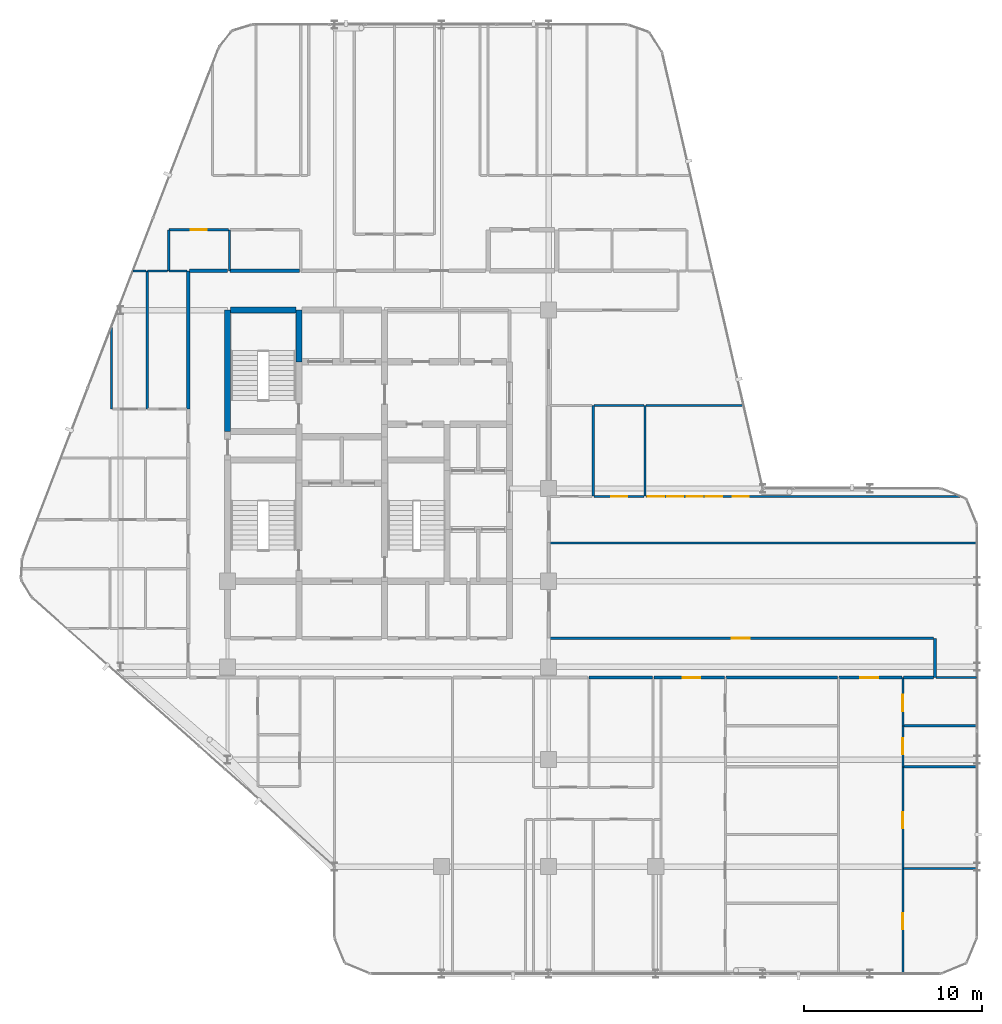
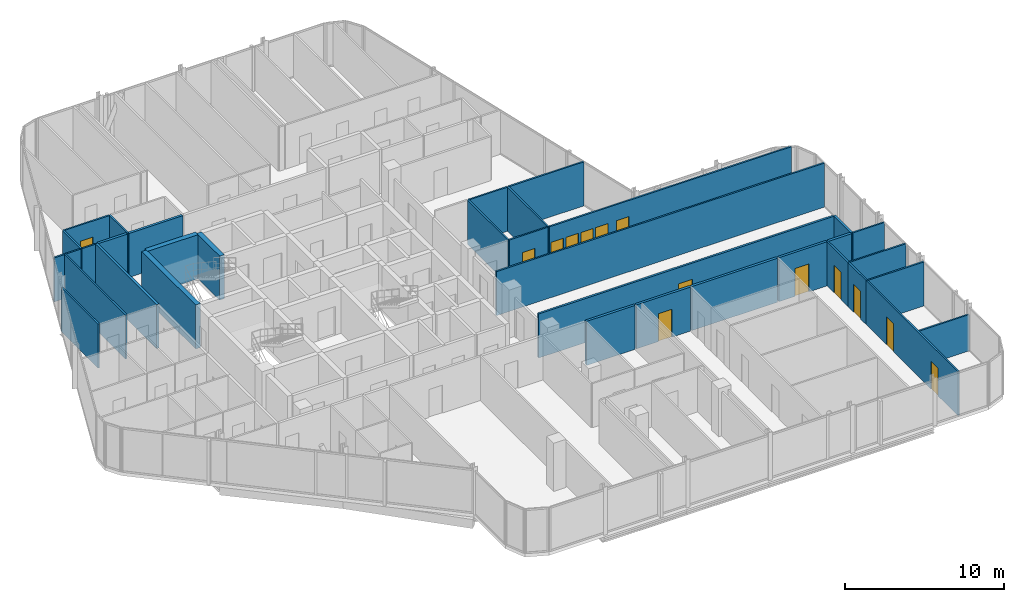
# One storey, part 26 of 29: 35 walls, 14 doors, 14 openings.
"""IFC4 building model written with IfcOpenShell, lengths in metres."""

import ifcopenshell
import ifcopenshell.guid

model = None  # the IFC model being written
_history = None  # IfcOwnerHistory: only IFC2X3 demands one
_inside = {}  # id of a spatial element -> (the spatial element, [elements in it])
_under = {}  # id of a project, library or spatial element -> (it, [spatial elements below it])
_declared = {}  # id of a project -> (the project, [libraries it declares])
_typed = {}  # id of a type object -> (the type object, [elements of that type])
_made_of = {}  # id of a material, layer set ... -> (it, [elements and type objects made of it])


def new_model(schema):
    """Start an empty IFC model of exactly this schema.

    Asked for "IFC4X3", IfcOpenShell would pick the latest addendum, in which some entities
    have other attributes; the version numbers below select the first issue.
    IFC2X3 requires an IfcOwnerHistory on every rooted entity: one is made here for all.
    """
    global model, _history
    if schema == "IFC4X3":
        model = ifcopenshell.file(schema_version=(4, 3, 0, 0))
    else:
        model = ifcopenshell.file(schema=schema)
    _inside.clear()
    _under.clear()
    _declared.clear()
    _typed.clear()
    _made_of.clear()
    _history = None
    if model.schema == "IFC2X3":
        org = make("IfcOrganization", Name="unknown")
        user = make(
            "IfcPersonAndOrganization",
            ThePerson=make("IfcPerson", FamilyName="unknown"),
            TheOrganization=org,
        )
        app = make(
            "IfcApplication",
            ApplicationDeveloper=org,
            Version="unknown",
            ApplicationFullName="unknown",
            ApplicationIdentifier="unknown",
        )
        _history = make(
            "IfcOwnerHistory",
            OwningUser=user,
            OwningApplication=app,
            ChangeAction="ADDED",
            CreationDate=0,
        )
    return model


def make(cls, **values):
    """One entity of the class cls with the attributes given. An attribute that is None is left unset."""
    return model.create_entity(
        cls, **{name: value for name, value in values.items() if value is not None}
    )


def rooted(cls, **values):
    """An entity with a GlobalId (a new one), such as an element, a storey or a relation."""
    return make(cls, GlobalId=ifcopenshell.guid.new(), OwnerHistory=_history, **values)


def si_unit(unit_type, name, prefix=None):
    """IfcSIUnit, for example si_unit("LENGTHUNIT", "METRE", prefix="MILLI")."""
    return make("IfcSIUnit", UnitType=unit_type, Prefix=prefix, Name=name)


def assignment(units):
    """IfcUnitAssignment: the units of a project."""
    return None if units is None else make("IfcUnitAssignment", Units=units)


def point(xyz):
    """IfcCartesianPoint."""
    return None if xyz is None else make("IfcCartesianPoint", Coordinates=xyz)


def direction(xyz):
    """IfcDirection."""
    return None if xyz is None else make("IfcDirection", DirectionRatios=xyz)


def frame(location, z_axis=None, x_axis=None):
    """IfcAxis2Placement3D, a coordinate frame: its origin and axes. An axis left out is left unset."""
    return make(
        "IfcAxis2Placement3D",
        Location=point(location),
        Axis=direction(z_axis),
        RefDirection=direction(x_axis),
    )


def frame_2d(location, x_axis=None):
    """IfcAxis2Placement2D, a coordinate frame in the plane: its origin and x axis."""
    return make(
        "IfcAxis2Placement2D", Location=point(location), RefDirection=direction(x_axis)
    )


def origin():
    """The frame at (0, 0, 0) with its axes left unset."""
    return frame((0.0, 0.0, 0.0))


def place(relative_to, where):
    """IfcLocalPlacement: puts the frame where relative to a parent placement (None: the world)."""
    return make(
        "IfcLocalPlacement", PlacementRelTo=relative_to, RelativePlacement=where
    )


def context(
    kind, dimensions, precision=None, world=None, true_north=None, identifier=None
):
    """IfcGeometricRepresentationContext, for example the 3D "Model" context."""
    return make(
        "IfcGeometricRepresentationContext",
        ContextIdentifier=identifier,
        ContextType=kind,
        CoordinateSpaceDimension=dimensions,
        Precision=precision,
        WorldCoordinateSystem=world,
        TrueNorth=true_north,
    )


def subcontext(parent, identifier, kind, view, scale=None):
    """IfcGeometricRepresentationSubContext, for example "Body" below "Model"."""
    return make(
        "IfcGeometricRepresentationSubContext",
        ContextIdentifier=identifier,
        ContextType=kind,
        ParentContext=parent,
        TargetScale=scale,
        TargetView=view,
    )


def project(units=None, contexts=None):
    """IfcProject with its units and contexts."""
    return rooted(
        "IfcProject",
        Name="project",
        RepresentationContexts=contexts,
        UnitsInContext=assignment(units),
    )


def spatial(cls, under=None, at=None, **own):
    """A site, building, storey or space (cls), placed at a placement, below another one or the project."""
    s = rooted(cls, ObjectPlacement=at, **own)
    if under is not None:
        _under.setdefault(under.id(), (under, []))[1].append(s)
    return s


def profile(cls, at=None, kind="AREA", **sizes):
    """A parametric profile (cls). Its sizes go by their IFC names, for example OverallWidth=200.0."""
    return make(cls, ProfileType=kind, Position=at, **sizes)


def rectangle(**sizes):
    """IfcRectangleProfileDef."""
    return profile("IfcRectangleProfileDef", **sizes)


def extrude(swept, where, along, depth):
    """IfcExtrudedAreaSolid: the profile swept, set in the frame where, extruded along a direction by depth."""
    return make(
        "IfcExtrudedAreaSolid",
        SweptArea=swept,
        Position=where,
        ExtrudedDirection=direction(along),
        Depth=depth,
    )


def shape(context_of_items, identifier, shape_type, items):
    """IfcShapeRepresentation: the items that make up one representation, for example the "Body"."""
    return make(
        "IfcShapeRepresentation",
        ContextOfItems=context_of_items,
        RepresentationIdentifier=identifier,
        RepresentationType=shape_type,
        Items=items,
    )


def material(Name=None, Category=None):
    """IfcMaterial."""
    return make("IfcMaterial", Name=Name, Category=Category)


def layer(
    of_material, thickness, ventilated=None, Name=None, Category=None, Priority=None
):
    """IfcMaterialLayer: one layer of a wall or slab, of a material (None: an air gap)."""
    return make(
        "IfcMaterialLayer",
        Material=of_material,
        LayerThickness=thickness,
        IsVentilated=ventilated,
        Name=Name,
        Category=Category,
        Priority=Priority,
    )


def layer_set(layers, Name=None):
    """IfcMaterialLayerSet."""
    return make("IfcMaterialLayerSet", MaterialLayers=layers, LayerSetName=Name)


def made_of(thing, what):
    """Note that an element or type object is made of a material, layer set ...; save() writes the relation."""
    if what is not None:
        _made_of.setdefault(what.id(), (what, []))[1].append(thing)
    return thing


def type_object(cls, material=None, **own):
    """A type object (cls), such as IfcWallType, which elements share."""
    return made_of(rooted(cls, **own), material)


def element(
    cls,
    number,
    at=None,
    inside=None,
    cuts=None,
    type_object=None,
    material=None,
    context=None,
    identifier="Body",
    shape_type=None,
    held_by="IfcProductDefinitionShape",
    body=None,
    shapes=None,
    **own,
):
    """One element of the class cls, such as IfcWall. Its Tag is "e" and its number.

    at: its placement. inside: the storey or other place that contains it. cuts: it is an
    opening in that element (IfcRelVoidsElement). A single representation is given by context,
    identifier, shape_type and body (its items); several are given by shapes. held_by: the class
    of the entity that holds the representations. save() writes the other relations.
    """
    e = rooted(cls, Tag="e%d" % number, ObjectPlacement=at, **own)
    if body is not None:
        shapes = [shape(context, identifier, shape_type, body)]
    if shapes is not None:
        e.Representation = make(held_by, Representations=shapes)
    if inside is not None:
        _inside.setdefault(inside.id(), (inside, []))[1].append(e)
    if cuts is not None:
        rooted(
            "IfcRelVoidsElement", RelatingBuildingElement=cuts, RelatedOpeningElement=e
        )
    if type_object is not None:
        _typed.setdefault(type_object.id(), (type_object, []))[1].append(e)
    return made_of(e, material)


def fill(opening, filler):
    """IfcRelFillsElement: the door or window that sits in an opening."""
    return rooted(
        "IfcRelFillsElement",
        RelatingOpeningElement=opening,
        RelatedBuildingElement=filler,
    )


def aggregate(whole, parts):
    """IfcRelAggregates: a whole, such as a stair, and the parts it consists of."""
    return rooted("IfcRelAggregates", RelatingObject=whole, RelatedObjects=parts)


def save(model, path):
    """Write the relations noted so far, then the file.

    IfcRelAggregates (storeys below a building ...), IfcRelContainedInSpatialStructure (elements
    in a storey), IfcRelDefinesByType, IfcRelAssociatesMaterial and IfcRelDeclares: one each for
    every whole, place, type object, material and project.
    """
    for whole, parts in _under.values():
        aggregate(whole, parts)
    for where, things in _inside.values():
        rooted(
            "IfcRelContainedInSpatialStructure",
            RelatedElements=things,
            RelatingStructure=where,
        )
    for kind, things in _typed.values():
        rooted("IfcRelDefinesByType", RelatedObjects=things, RelatingType=kind)
    for what, things in _made_of.values():
        rooted("IfcRelAssociatesMaterial", RelatedObjects=things, RelatingMaterial=what)
    for by, libraries in _declared.values():
        rooted("IfcRelDeclares", RelatingContext=by, RelatedDefinitions=libraries)
    model.write(path)


model = new_model("IFC4")

# Units and contexts
model_context = context("Model", 3, precision=1e-05, world=origin(), true_north=direction((0.0, 1.0)))
body_context = subcontext(model_context, "Body", "Model", "MODEL_VIEW")
ifc_project = project(units=[si_unit("LENGTHUNIT", "METRE"), si_unit("AREAUNIT", "SQUARE_METRE"), si_unit("VOLUMEUNIT", "CUBIC_METRE"), si_unit("PLANEANGLEUNIT", "RADIAN"), si_unit("MASSUNIT", "GRAM", prefix="KILO")], contexts=[model_context])

# Site, building, storey
site_placement = place(None, origin())
site = spatial("IfcSite", under=ifc_project, at=site_placement, CompositionType="ELEMENT")
building_placement = place(site_placement, origin())
building = spatial("IfcBuilding", under=site, at=building_placement, Name="Keshet Zoharim Tower", CompositionType="ELEMENT")
storey_placement = place(building_placement, frame((0.0, 0.0, 203.199951171875)))
storey = spatial("IfcBuildingStorey", under=building, at=storey_placement, Name="L50", CompositionType="ELEMENT", Elevation=203.199951171875)

# Wall
ifc_material_1 = material(Name="Gypsum Plasterboard", Category="gypsum")
ifc_layer_1 = layer(ifc_material_1, 0.14990234375)
ifc_layer_set_1 = layer_set([ifc_layer_1], Name="Gypsum Plasterboard")
wall_type_1 = type_object("IfcWallType", Name="WL-CLIN-150", PredefinedType="STANDARD", material=ifc_layer_set_1)
wall_1_placement = place(storey_placement, frame((54.64990234375, 17.31005859375, 0.0), z_axis=(0.0, 0.0, 1.0), x_axis=(0.0, 1.0, 0.0)))
element("IfcWall", 1, at=wall_1_placement, inside=storey, type_object=wall_type_1, Name="L50 Interior Wall 096", PredefinedType="STANDARD", context=body_context, shape_type="SweptSolid", body=[
    extrude(rectangle(XDim=2.18994140625, YDim=0.14990234375, at=frame_2d((1.094970703125, 0.0))), origin(), (0.0, 0.0, 1.0), 3.39013671875),
])

# Wall, opening, door
wall_2_placement = place(storey_placement, frame((33.070068359375, 19.5, 0.0), z_axis=(0.0, 0.0, 1.0), x_axis=(1.0, 0.0, 0.0)))
wall_2 = element("IfcWall", 2, at=wall_2_placement, inside=storey, type_object=wall_type_1, Name="L50 Interior Wall 128", PredefinedType="STANDARD", context=body_context, shape_type="SweptSolid", body=[
    extrude(rectangle(XDim=21.510009765625, YDim=0.14990234375, at=frame_2d((10.7548828125, 0.0))), origin(), (0.0, 0.0, 1.0), 3.39013671875),
])
opening_1_placement = place(wall_2_placement, frame((10.18505859375, 0.0, 0.0)))
opening_1 = element("IfcOpeningElement", 3, at=opening_1_placement, cuts=wall_2, Name="Opening D-F310", PredefinedType="OPENING", context=body_context, shape_type="SweptSolid", body=[
    extrude(rectangle(XDim=1.0, YDim=2.14990234375, at=frame_2d((0.5, 1.074951171875))), frame((0.0, 0.0849609375, 0.0), z_axis=(0.0, -1.0, 0.0), x_axis=(1.0, 0.0, 0.0)), (0.0, 0.0, 1.0), 0.169921875),
])
ifc_material_2 = material(Name="Hardwood Timber", Category="wood")
door_type_1 = type_object("IfcDoorType", Name="DR-FD30-100", OperationType="NOTDEFINED", PredefinedType="DOOR", material=ifc_material_2)
door_1_placement = place(opening_1_placement, origin())
door_1 = element("IfcDoor", 4, at=door_1_placement, inside=storey, type_object=door_type_1, Name="L50 South East Residents Services Suite Door 1", OperationType="SINGLE_SWING_LEFT", OverallHeight=2.14990234375, OverallWidth=1.0, PredefinedType="DOOR", context=body_context, shape_type="SweptSolid", body=[
    extrude(rectangle(XDim=1.0, YDim=2.14990234375, at=frame_2d((0.5, 1.074951171875))), frame((0.0, 0.02490234375, 0.0), z_axis=(0.0, -1.0, 0.0), x_axis=(1.0, 0.0, 0.0)), (0.0, 0.0, 1.0), 0.050048828125),
])
fill(opening_1, door_1)

# Walls
ifc_material_3 = material(Name="Concrete C60/75", Category="concrete")
ifc_layer_2 = layer(ifc_material_3, 0.35009765625)
ifc_layer_set_2 = layer_set([ifc_layer_2], Name="Concrete C60/75")
wall_type_2 = type_object("IfcWallType", Name="WL-CORE-350", PredefinedType="SHEAR", material=ifc_layer_set_2)
wall_3_placement = place(storey_placement, frame((15.0, 31.10009765625, 0.0), z_axis=(0.0, 0.0, 1.0), x_axis=(0.0, 1.0, 0.0)))
element("IfcWall", 5, at=wall_3_placement, inside=storey, type_object=wall_type_2, Name="L50 Core Shear Wall 018", PredefinedType="SHEAR", context=body_context, shape_type="SweptSolid", body=[
    extrude(rectangle(XDim=6.7998046875, YDim=0.35009765625, at=frame_2d((3.39990234375, 0.0))), origin(), (0.0, 0.0, 1.0), 3.39013671875),
])
wall_4_placement = place(storey_placement, frame((19.0, 35.0, 0.0), z_axis=(0.0, 0.0, 1.0), x_axis=(0.0, 1.0, 0.0)))
element("IfcWall", 6, at=wall_4_placement, inside=storey, type_object=wall_type_2, Name="L50 Core Shear Wall 027", PredefinedType="SHEAR", context=body_context, shape_type="SweptSolid", body=[
    extrude(rectangle(XDim=2.89990234375, YDim=0.35009765625, at=frame_2d((1.449951171875, 0.0))), origin(), (0.0, 0.0, 1.0), 3.39013671875),
])
wall_5_placement = place(storey_placement, frame((15.159912109375, 37.89990234375, 0.0), z_axis=(0.0, 0.0, 1.0), x_axis=(1.0, 0.0, 0.0)))
element("IfcWall", 7, at=wall_5_placement, inside=storey, type_object=wall_type_2, Name="L50 Core Shear Wall 167", PredefinedType="SHEAR", context=body_context, shape_type="SweptSolid", body=[
    extrude(rectangle(XDim=3.68017578125, YDim=0.35009765625, at=frame_2d((1.840087890625, 0.0))), origin(), (0.0, 0.0, 1.0), 3.39013671875),
])
ifc_layer_3 = layer(ifc_material_1, 0.179931640625)
ifc_layer_set_3 = layer_set([ifc_layer_3], Name="Gypsum Plasterboard")
wall_type_3 = type_object("IfcWallType", Name="WL-CORR-180", PredefinedType="STANDARD", material=ifc_layer_set_3)
wall_6_placement = place(storey_placement, frame((12.800048828125, 32.360107421875, 0.0), z_axis=(0.0, 0.0, 1.0), x_axis=(0.0, 1.0, 0.0)))
element("IfcWall", 8, at=wall_6_placement, inside=storey, type_object=wall_type_3, Name="L50 Interior Wall 013", PredefinedType="STANDARD", context=body_context, shape_type="SweptSolid", body=[
    extrude(rectangle(XDim=7.739990234375, YDim=0.179931640625, at=frame_2d((3.8701171875, 0.0))), origin(), (0.0, 0.0, 1.0), 3.39013671875),
])
wall_7_placement = place(storey_placement, frame((35.27197265625, 17.300048828125, 0.0), z_axis=(0.0, 0.0, 1.0), x_axis=(1.0, 0.0, 0.0)))
element("IfcWall", 9, at=wall_7_placement, inside=storey, type_object=wall_type_3, Name="L50 Interior Wall 118", PredefinedType="STANDARD", context=body_context, shape_type="SweptSolid", body=[
    extrude(rectangle(XDim=3.532958984375, YDim=0.179931640625, at=frame_2d((1.7666015625, 0.0))), origin(), (0.0, 0.0, 1.0), 3.39013671875),
])

# Wall, opening, door
wall_8_placement = place(storey_placement, frame((38.89501953125, 17.300048828125, 0.0), z_axis=(0.0, 0.0, 1.0), x_axis=(1.0, 0.0, 0.0)))
wall_8 = element("IfcWall", 10, at=wall_8_placement, inside=storey, type_object=wall_type_3, Name="L50 Interior Wall 119", PredefinedType="STANDARD", context=body_context, shape_type="SweptSolid", body=[
    extrude(rectangle(XDim=3.9599609375, YDim=0.179931640625, at=frame_2d((1.97998046875, 0.0))), origin(), (0.0, 0.0, 1.0), 3.39013671875),
])
opening_2_placement = place(wall_8_placement, frame((1.60888671875, 0.0, 0.0)))
opening_2 = element("IfcOpeningElement", 11, at=opening_2_placement, cuts=wall_8, Name="Opening D-F310", PredefinedType="OPENING", context=body_context, shape_type="SweptSolid", body=[
    extrude(rectangle(XDim=1.0, YDim=2.14990234375, at=frame_2d((0.5, 1.074951171875))), frame((0.0, 0.10009765625, 0.0), z_axis=(0.0, -1.0, 0.0), x_axis=(1.0, 0.0, 0.0)), (0.0, 0.0, 1.0), 0.199951171875),
])
door_2_placement = place(opening_2_placement, origin())
door_2 = element("IfcDoor", 12, at=door_2_placement, inside=storey, type_object=door_type_1, Name="Apartment 5003 Entrance Door", OperationType="SINGLE_SWING_RIGHT", OverallHeight=2.14990234375, OverallWidth=1.0, PredefinedType="DOOR", context=body_context, shape_type="SweptSolid", body=[
    extrude(rectangle(XDim=1.0, YDim=2.14990234375, at=frame_2d((0.5, 1.074951171875))), frame((0.0, 0.02490234375, 0.0), z_axis=(0.0, -1.0, 0.0), x_axis=(1.0, 0.0, 0.0)), (0.0, 0.0, 1.0), 0.050048828125),
])
fill(opening_2, door_2)

# Wall
wall_9_placement = place(storey_placement, frame((42.945068359375, 17.300048828125, 0.0), z_axis=(0.0, 0.0, 1.0), x_axis=(1.0, 0.0, 0.0)))
element("IfcWall", 13, at=wall_9_placement, inside=storey, type_object=wall_type_3, Name="L50 Interior Wall 120", PredefinedType="STANDARD", context=body_context, shape_type="SweptSolid", body=[
    extrude(rectangle(XDim=6.25, YDim=0.179931640625, at=frame_2d((3.125, 0.0))), origin(), (0.0, 0.0, 1.0), 3.39013671875),
])

# Wall, opening, door
wall_10_placement = place(storey_placement, frame((49.284912109375, 17.300048828125, 0.0), z_axis=(0.0, 0.0, 1.0), x_axis=(1.0, 0.0, 0.0)))
wall_10 = element("IfcWall", 14, at=wall_10_placement, inside=storey, type_object=wall_type_3, Name="L50 Interior Wall 121", PredefinedType="STANDARD", context=body_context, shape_type="SweptSolid", body=[
    extrude(rectangle(XDim=3.510009765625, YDim=0.179931640625, at=frame_2d((1.7548828125, 0.0))), origin(), (0.0, 0.0, 1.0), 3.39013671875),
])
opening_3_placement = place(wall_10_placement, frame((1.18505859375, 0.0, 0.0)))
opening_3 = element("IfcOpeningElement", 15, at=opening_3_placement, cuts=wall_10, Name="Opening D-F310", PredefinedType="OPENING", context=body_context, shape_type="SweptSolid", body=[
    extrude(rectangle(XDim=1.0, YDim=2.14990234375, at=frame_2d((0.5, 1.074951171875))), frame((0.0, 0.10009765625, 0.0), z_axis=(0.0, -1.0, 0.0), x_axis=(1.0, 0.0, 0.0)), (0.0, 0.0, 1.0), 0.199951171875),
])
door_3_placement = place(opening_3_placement, origin())
door_3 = element("IfcDoor", 16, at=door_3_placement, inside=storey, type_object=door_type_1, Name="Apartment 5004 Entrance Door", OperationType="SINGLE_SWING_LEFT", OverallHeight=2.14990234375, OverallWidth=1.0, PredefinedType="DOOR", context=body_context, shape_type="SweptSolid", body=[
    extrude(rectangle(XDim=1.0, YDim=2.14990234375, at=frame_2d((0.5, 1.074951171875))), frame((0.0, 0.02490234375, 0.0), z_axis=(0.0, -1.0, 0.0), x_axis=(1.0, 0.0, 0.0)), (0.0, 0.0, 1.0), 0.050048828125),
])
fill(opening_3, door_3)

# Walls
wall_11_placement = place(storey_placement, frame((52.885009765625, 17.300048828125, 0.0), z_axis=(0.0, 0.0, 1.0), x_axis=(1.0, 0.0, 0.0)))
element("IfcWall", 17, at=wall_11_placement, inside=storey, type_object=wall_type_3, Name="L50 Interior Wall 122", PredefinedType="STANDARD", context=body_context, shape_type="SweptSolid", body=[
    extrude(rectangle(XDim=1.695068359375, YDim=0.179931640625, at=frame_2d((0.84765625, 0.0))), origin(), (0.0, 0.0, 1.0), 3.39013671875),
])
wall_12_placement = place(storey_placement, frame((12.875, 40.10009765625, 0.0), z_axis=(0.0, 0.0, 1.0), x_axis=(1.0, 0.0, 0.0)))
element("IfcWall", 18, at=wall_12_placement, inside=storey, type_object=wall_type_3, Name="L50 Interior Wall 175", PredefinedType="STANDARD", context=body_context, shape_type="SweptSolid", body=[
    extrude(rectangle(XDim=2.125, YDim=0.179931640625, at=frame_2d((1.0625, 0.0))), origin(), (0.0, 0.0, 1.0), 3.39013671875),
])
wall_13_placement = place(storey_placement, frame((15.1279296875, 40.10009765625, 0.0), z_axis=(0.0, 0.0, 1.0), x_axis=(1.0, 0.0, 0.0)))
element("IfcWall", 19, at=wall_13_placement, inside=storey, type_object=wall_type_3, Name="L50 Interior Wall 176", PredefinedType="STANDARD", context=body_context, shape_type="SweptSolid", body=[
    extrude(rectangle(XDim=3.906982421875, YDim=0.179931640625, at=frame_2d((1.95361328125, 0.0))), origin(), (0.0, 0.0, 1.0), 3.39013671875),
])
ifc_layer_4 = layer(ifc_material_1, 0.1201171875)
ifc_layer_set_4 = layer_set([ifc_layer_4], Name="Gypsum Plasterboard")
wall_type_4 = type_object("IfcWallType", Name="WL-PART-120", PredefinedType="PARTITIONING", material=ifc_layer_set_4)
wall_14_placement = place(storey_placement, frame((8.5, 32.360107421875, 0.0), z_axis=(0.0, 0.0, 1.0), x_axis=(0.0, 1.0, 0.0)))
element("IfcWall", 20, at=wall_14_placement, inside=storey, type_object=wall_type_4, Name="L50 Interior Wall 003", PredefinedType="PARTITIONING", context=body_context, shape_type="SweptSolid", body=[
    extrude(rectangle(XDim=4.6298828125, YDim=0.1201171875, at=frame_2d((2.31494140625, 0.0))), origin(), (0.0, 0.0, 1.0), 3.39013671875),
])
wall_15_placement = place(storey_placement, frame((11.699951171875, 40.10009765625, 0.0), z_axis=(0.0, 0.0, 1.0), x_axis=(0.0, 1.0, 0.0)))
element("IfcWall", 21, at=wall_15_placement, inside=storey, type_object=wall_type_4, Name="L50 Interior Wall 007", PredefinedType="PARTITIONING", context=body_context, shape_type="SweptSolid", body=[
    extrude(rectangle(XDim=2.2998046875, YDim=0.1201171875, at=frame_2d((1.14990234375, 0.0))), origin(), (0.0, 0.0, 1.0), 3.39013671875),
])

# Wall, openings, doors
wall_16_placement = place(storey_placement, frame((52.85009765625, 0.7099609375, 0.0), z_axis=(0.0, 0.0, 1.0), x_axis=(0.0, 1.0, 0.0)))
wall_16 = element("IfcWall", 22, at=wall_16_placement, inside=storey, type_object=wall_type_4, Name="L50 Interior Wall 093", PredefinedType="PARTITIONING", context=body_context, shape_type="SweptSolid", body=[
    extrude(rectangle(XDim=11.590087890625, YDim=0.1201171875, at=frame_2d((5.794921875, 0.0))), origin(), (0.0, 0.0, 1.0), 3.39013671875),
])
opening_4_placement = place(wall_16_placement, frame((2.489990234375, 0.0, 0.0)))
opening_4 = element("IfcOpeningElement", 23, at=opening_4_placement, cuts=wall_16, Name="Opening D-IN90", PredefinedType="OPENING", context=body_context, shape_type="SweptSolid", body=[
    extrude(rectangle(XDim=0.89990234375, YDim=2.14990234375, at=frame_2d((0.449951171875, 1.074951171875))), frame((0.0, 0.070068359375, 0.0), z_axis=(0.0, -1.0, 0.0), x_axis=(1.0, 0.0, 0.0)), (0.0, 0.0, 1.0), 0.14013671875),
])
opening_5_placement = place(wall_16_placement, frame((8.133056640625, 0.0, 0.0)))
opening_5 = element("IfcOpeningElement", 24, at=opening_5_placement, cuts=wall_16, Name="Opening D-IN90", PredefinedType="OPENING", context=body_context, shape_type="SweptSolid", body=[
    extrude(rectangle(XDim=0.89990234375, YDim=2.14990234375, at=frame_2d((0.449951171875, 1.074951171875))), frame((0.0, 0.070068359375, 0.0), z_axis=(0.0, -1.0, 0.0), x_axis=(1.0, 0.0, 0.0)), (0.0, 0.0, 1.0), 0.14013671875),
])
door_type_2 = type_object("IfcDoorType", Name="DR-INT-090", OperationType="NOTDEFINED", PredefinedType="DOOR", material=ifc_material_2)
door_4_placement = place(opening_4_placement, origin())
door_4 = element("IfcDoor", 25, at=door_4_placement, inside=storey, type_object=door_type_2, Name="Apartment 5004 Bedroom 1 Door", OperationType="SINGLE_SWING_LEFT", OverallHeight=2.14990234375, OverallWidth=0.89990234375, PredefinedType="DOOR", context=body_context, shape_type="SweptSolid", body=[
    extrude(rectangle(XDim=0.89990234375, YDim=2.14990234375, at=frame_2d((0.449951171875, 1.074951171875))), frame((0.0, 0.02490234375, 0.0), z_axis=(0.0, -1.0, 0.0), x_axis=(1.0, 0.0, 0.0)), (0.0, 0.0, 1.0), 0.050048828125),
])
fill(opening_4, door_4)
door_5_placement = place(opening_5_placement, origin())
door_5 = element("IfcDoor", 26, at=door_5_placement, inside=storey, type_object=door_type_2, Name="Apartment 5004 Bedroom 2 Door", OperationType="SINGLE_SWING_RIGHT", OverallHeight=2.14990234375, OverallWidth=0.89990234375, PredefinedType="DOOR", context=body_context, shape_type="SweptSolid", body=[
    extrude(rectangle(XDim=0.89990234375, YDim=2.14990234375, at=frame_2d((0.449951171875, 1.074951171875))), frame((0.0, 0.02490234375, 0.0), z_axis=(0.0, -1.0, 0.0), x_axis=(1.0, 0.0, 0.0)), (0.0, 0.0, 1.0), 0.050048828125),
])
fill(opening_5, door_5)

# Wall, opening, door
wall_17_placement = place(storey_placement, frame((52.85009765625, 12.300048828125, 0.0), z_axis=(0.0, 0.0, 1.0), x_axis=(0.0, 1.0, 0.0)))
wall_17 = element("IfcWall", 27, at=wall_17_placement, inside=storey, type_object=wall_type_4, Name="L50 Interior Wall 094", PredefinedType="PARTITIONING", context=body_context, shape_type="SweptSolid", body=[
    extrude(rectangle(XDim=2.300048828125, YDim=0.1201171875, at=frame_2d((1.14990234375, 0.0))), origin(), (0.0, 0.0, 1.0), 3.39013671875),
])
opening_6_placement = place(wall_17_placement, frame((0.699951171875, 0.0, 0.0)))
opening_6 = element("IfcOpeningElement", 28, at=opening_6_placement, cuts=wall_17, Name="Opening D-IN90", PredefinedType="OPENING", context=body_context, shape_type="SweptSolid", body=[
    extrude(rectangle(XDim=0.89990234375, YDim=2.14990234375, at=frame_2d((0.449951171875, 1.074951171875))), frame((0.0, 0.070068359375, 0.0), z_axis=(0.0, -1.0, 0.0), x_axis=(1.0, 0.0, 0.0)), (0.0, 0.0, 1.0), 0.14013671875),
])
door_6_placement = place(opening_6_placement, origin())
door_6 = element("IfcDoor", 29, at=door_6_placement, inside=storey, type_object=door_type_2, Name="Apartment 5004 Kitchen Door", OperationType="SINGLE_SWING_LEFT", OverallHeight=2.14990234375, OverallWidth=0.89990234375, PredefinedType="DOOR", context=body_context, shape_type="SweptSolid", body=[
    extrude(rectangle(XDim=0.89990234375, YDim=2.14990234375, at=frame_2d((0.449951171875, 1.074951171875))), frame((0.0, 0.02490234375, 0.0), z_axis=(0.0, -1.0, 0.0), x_axis=(1.0, 0.0, 0.0)), (0.0, 0.0, 1.0), 0.050048828125),
])
fill(opening_6, door_6)

# Walls
wall_18_placement = place(storey_placement, frame((52.885009765625, 6.60009765625, 0.0), z_axis=(0.0, 0.0, 1.0), x_axis=(1.0, 0.0, 0.0)))
element("IfcWall", 30, at=wall_18_placement, inside=storey, type_object=wall_type_4, Name="L50 Interior Wall 098", PredefinedType="PARTITIONING", context=body_context, shape_type="SweptSolid", body=[
    extrude(rectangle(XDim=4.10498046875, YDim=0.1201171875, at=frame_2d((2.052490234375, 0.0))), origin(), (0.0, 0.0, 1.0), 2.7900390625),
])
wall_19_placement = place(storey_placement, frame((52.885009765625, 12.300048828125, 0.0), z_axis=(0.0, 0.0, 1.0), x_axis=(1.0, 0.0, 0.0)))
element("IfcWall", 31, at=wall_19_placement, inside=storey, type_object=wall_type_4, Name="L50 Interior Wall 107", PredefinedType="PARTITIONING", context=body_context, shape_type="SweptSolid", body=[
    extrude(rectangle(XDim=4.10498046875, YDim=0.1201171875, at=frame_2d((2.052490234375, 0.0))), origin(), (0.0, 0.0, 1.0), 3.39013671875),
])
wall_20_placement = place(storey_placement, frame((33.0849609375, 24.85009765625, 0.0), z_axis=(0.0, 0.0, 1.0), x_axis=(1.0, 0.0, 0.0)))
element("IfcWall", 32, at=wall_20_placement, inside=storey, type_object=wall_type_4, Name="L50 Interior Wall 140", PredefinedType="PARTITIONING", context=body_context, shape_type="SweptSolid", body=[
    extrude(rectangle(XDim=23.905029296875, YDim=0.1201171875, at=frame_2d((11.95263671875, 0.0))), origin(), (0.0, 0.0, 1.0), 3.39013671875),
])

# Wall, openings, doors
wall_21_placement = place(storey_placement, frame((38.445068359375, 27.449951171875, 0.0), z_axis=(0.0, 0.0, 1.0), x_axis=(1.0, 0.0, 0.0)))
wall_21 = element("IfcWall", 33, at=wall_21_placement, inside=storey, type_object=wall_type_4, Name="L50 Interior Wall 147", PredefinedType="PARTITIONING", context=body_context, shape_type="SweptSolid", body=[
    extrude(rectangle(XDim=17.630859375, YDim=0.1201171875, at=frame_2d((8.8154296875, 0.0))), origin(), (0.0, 0.0, 1.0), 3.39013671875),
])
opening_7_placement = place(wall_21_placement, frame((4.8798828125, 0.0, 0.0)))
opening_7 = element("IfcOpeningElement", 34, at=opening_7_placement, cuts=wall_21, Name="Opening D-IN90", PredefinedType="OPENING", context=body_context, shape_type="SweptSolid", body=[
    extrude(rectangle(XDim=0.89990234375, YDim=2.14990234375, at=frame_2d((0.449951171875, 1.074951171875))), frame((0.0, 0.070068359375, 0.0), z_axis=(0.0, -1.0, 0.0), x_axis=(1.0, 0.0, 0.0)), (0.0, 0.0, 1.0), 0.14013671875),
])
opening_8_placement = place(wall_21_placement, frame((0.1201171875, 0.0, 0.0)))
opening_8 = element("IfcOpeningElement", 35, at=opening_8_placement, cuts=wall_21, Name="Opening D-IN90", PredefinedType="OPENING", context=body_context, shape_type="SweptSolid", body=[
    extrude(rectangle(XDim=0.89990234375, YDim=2.14990234375, at=frame_2d((0.449951171875, 1.074951171875))), frame((0.0, 0.070068359375, 0.0), z_axis=(0.0, -1.0, 0.0), x_axis=(1.0, 0.0, 0.0)), (0.0, 0.0, 1.0), 0.14013671875),
])
opening_9_placement = place(wall_21_placement, frame((1.202880859375, 0.0, 0.0)))
opening_9 = element("IfcOpeningElement", 36, at=opening_9_placement, cuts=wall_21, Name="Opening D-IN90", PredefinedType="OPENING", context=body_context, shape_type="SweptSolid", body=[
    extrude(rectangle(XDim=0.89990234375, YDim=2.14990234375, at=frame_2d((0.449951171875, 1.074951171875))), frame((0.0, 0.070068359375, 0.0), z_axis=(0.0, -1.0, 0.0), x_axis=(1.0, 0.0, 0.0)), (0.0, 0.0, 1.0), 0.14013671875),
])
opening_10_placement = place(wall_21_placement, frame((2.287109375, 0.0, 0.0)))
opening_10 = element("IfcOpeningElement", 37, at=opening_10_placement, cuts=wall_21, Name="Opening D-IN90", PredefinedType="OPENING", context=body_context, shape_type="SweptSolid", body=[
    extrude(rectangle(XDim=0.89990234375, YDim=2.14990234375, at=frame_2d((0.449951171875, 1.074951171875))), frame((0.0, 0.070068359375, 0.0), z_axis=(0.0, -1.0, 0.0), x_axis=(1.0, 0.0, 0.0)), (0.0, 0.0, 1.0), 0.14013671875),
])
opening_11_placement = place(wall_21_placement, frame((3.3701171875, 0.0, 0.0)))
opening_11 = element("IfcOpeningElement", 38, at=opening_11_placement, cuts=wall_21, Name="Opening D-IN90", PredefinedType="OPENING", context=body_context, shape_type="SweptSolid", body=[
    extrude(rectangle(XDim=0.89990234375, YDim=2.14990234375, at=frame_2d((0.449951171875, 1.074951171875))), frame((0.0, 0.070068359375, 0.0), z_axis=(0.0, -1.0, 0.0), x_axis=(1.0, 0.0, 0.0)), (0.0, 0.0, 1.0), 0.14013671875),
])
door_7_placement = place(opening_7_placement, origin())
door_7 = element("IfcDoor", 39, at=door_7_placement, inside=storey, type_object=door_type_2, Name="Apartment 5010 Bedroom 1 Access Door", OperationType="SINGLE_SWING_LEFT", OverallHeight=2.14990234375, OverallWidth=0.89990234375, PredefinedType="DOOR", context=body_context, shape_type="SweptSolid", body=[
    extrude(rectangle(XDim=0.89990234375, YDim=2.14990234375, at=frame_2d((0.449951171875, 1.074951171875))), frame((0.0, 0.02490234375, 0.0), z_axis=(0.0, -1.0, 0.0), x_axis=(1.0, 0.0, 0.0)), (0.0, 0.0, 1.0), 0.050048828125),
])
fill(opening_7, door_7)
door_8_placement = place(opening_8_placement, origin())
door_8 = element("IfcDoor", 40, at=door_8_placement, inside=storey, type_object=door_type_2, Name="Apartment 5010 Bedroom 1 Access Door", OperationType="SINGLE_SWING_RIGHT", OverallHeight=2.14990234375, OverallWidth=0.89990234375, PredefinedType="DOOR", context=body_context, shape_type="SweptSolid", body=[
    extrude(rectangle(XDim=0.89990234375, YDim=2.14990234375, at=frame_2d((0.449951171875, 1.074951171875))), frame((0.0, 0.02490234375, 0.0), z_axis=(0.0, -1.0, 0.0), x_axis=(1.0, 0.0, 0.0)), (0.0, 0.0, 1.0), 0.050048828125),
])
fill(opening_8, door_8)
door_9_placement = place(opening_9_placement, origin())
door_9 = element("IfcDoor", 41, at=door_9_placement, inside=storey, type_object=door_type_2, Name="Apartment 5010 Bedroom 1 Access Door", OperationType="SINGLE_SWING_LEFT", OverallHeight=2.14990234375, OverallWidth=0.89990234375, PredefinedType="DOOR", context=body_context, shape_type="SweptSolid", body=[
    extrude(rectangle(XDim=0.89990234375, YDim=2.14990234375, at=frame_2d((0.449951171875, 1.074951171875))), frame((0.0, 0.02490234375, 0.0), z_axis=(0.0, -1.0, 0.0), x_axis=(1.0, 0.0, 0.0)), (0.0, 0.0, 1.0), 0.050048828125),
])
fill(opening_9, door_9)
door_10_placement = place(opening_10_placement, origin())
door_10 = element("IfcDoor", 42, at=door_10_placement, inside=storey, type_object=door_type_2, Name="Apartment 5010 Bedroom 1 Access Door", OperationType="SINGLE_SWING_RIGHT", OverallHeight=2.14990234375, OverallWidth=0.89990234375, PredefinedType="DOOR", context=body_context, shape_type="SweptSolid", body=[
    extrude(rectangle(XDim=0.89990234375, YDim=2.14990234375, at=frame_2d((0.449951171875, 1.074951171875))), frame((0.0, 0.02490234375, 0.0), z_axis=(0.0, -1.0, 0.0), x_axis=(1.0, 0.0, 0.0)), (0.0, 0.0, 1.0), 0.050048828125),
])
fill(opening_10, door_10)
door_11_placement = place(opening_11_placement, origin())
door_11 = element("IfcDoor", 43, at=door_11_placement, inside=storey, type_object=door_type_2, Name="Apartment 5010 Bedroom 1 Door", OperationType="SINGLE_SWING_LEFT", OverallHeight=2.14990234375, OverallWidth=0.89990234375, PredefinedType="DOOR", context=body_context, shape_type="SweptSolid", body=[
    extrude(rectangle(XDim=0.89990234375, YDim=2.14990234375, at=frame_2d((0.449951171875, 1.074951171875))), frame((0.0, 0.02490234375, 0.0), z_axis=(0.0, -1.0, 0.0), x_axis=(1.0, 0.0, 0.0)), (0.0, 0.0, 1.0), 0.050048828125),
])
fill(opening_11, door_11)

# Walls
wall_22_placement = place(storey_placement, frame((38.445068359375, 32.550048828125, 0.0), z_axis=(0.0, 0.0, 1.0), x_axis=(1.0, 0.0, 0.0)))
element("IfcWall", 44, at=wall_22_placement, inside=storey, type_object=wall_type_4, Name="L50 Interior Wall 163", PredefinedType="PARTITIONING", context=body_context, shape_type="SweptSolid", body=[
    extrude(rectangle(XDim=5.471923828125, YDim=0.1201171875, at=frame_2d((2.73583984375, 0.0))), origin(), (0.0, 0.0, 1.0), 3.39013671875),
])
wall_23_placement = place(storey_placement, frame((9.701904296875, 40.10009765625, 0.0), z_axis=(0.0, 0.0, 1.0), x_axis=(1.0, 0.0, 0.0)))
element("IfcWall", 45, at=wall_23_placement, inside=storey, type_object=wall_type_4, Name="L50 Interior Wall 172", PredefinedType="PARTITIONING", context=body_context, shape_type="SweptSolid", body=[
    extrude(rectangle(XDim=0.731201171875, YDim=0.1201171875, at=frame_2d((0.36572265625, 0.0))), origin(), (0.0, 0.0, 1.0), 3.39013671875),
])

# Wall, opening, door
wall_24_placement = place(storey_placement, frame((11.72412109375, 42.39990234375, 0.0), z_axis=(0.0, 0.0, 1.0), x_axis=(1.0, 0.0, 0.0)))
wall_24 = element("IfcWall", 46, at=wall_24_placement, inside=storey, type_object=wall_type_4, Name="L50 Interior Wall 185", PredefinedType="PARTITIONING", context=body_context, shape_type="SweptSolid", body=[
    extrude(rectangle(XDim=3.31396484375, YDim=0.1201171875, at=frame_2d((1.656982421875, 0.0))), origin(), (0.0, 0.0, 1.0), 3.39013671875),
])
opening_12_placement = place(wall_24_placement, frame((1.20703125, 0.0, 0.0)))
opening_12 = element("IfcOpeningElement", 47, at=opening_12_placement, cuts=wall_24, Name="Opening D-IN90", PredefinedType="OPENING", context=body_context, shape_type="SweptSolid", body=[
    extrude(rectangle(XDim=0.89990234375, YDim=2.14990234375, at=frame_2d((0.449951171875, 1.074951171875))), frame((0.0, 0.070068359375, 0.0), z_axis=(0.0, -1.0, 0.0), x_axis=(1.0, 0.0, 0.0)), (0.0, 0.0, 1.0), 0.14013671875),
])
door_12_placement = place(opening_12_placement, origin())
door_12 = element("IfcDoor", 48, at=door_12_placement, inside=storey, type_object=door_type_2, Name="Apartment 5005 Kitchen Door", OperationType="SINGLE_SWING_RIGHT", OverallHeight=2.14990234375, OverallWidth=0.89990234375, PredefinedType="DOOR", context=body_context, shape_type="SweptSolid", body=[
    extrude(rectangle(XDim=0.89990234375, YDim=2.14990234375, at=frame_2d((0.449951171875, 1.074951171875))), frame((0.0, 0.02490234375, 0.0), z_axis=(0.0, -1.0, 0.0), x_axis=(1.0, 0.0, 0.0)), (0.0, 0.0, 1.0), 0.050048828125),
])
fill(opening_12, door_12)

# Walls
ifc_layer_5 = layer(ifc_material_1, 0.1201171875)
ifc_layer_set_5 = layer_set([ifc_layer_5], Name="Gypsum Plasterboard")
wall_type_5 = type_object("IfcWallType", Name="WL-WET-120", PredefinedType="PARTITIONING", material=ifc_layer_set_5)
wall_25_placement = place(storey_placement, frame((10.5, 32.360107421875, 0.0), z_axis=(0.0, 0.0, 1.0), x_axis=(0.0, 1.0, 0.0)))
element("IfcWall", 49, at=wall_25_placement, inside=storey, type_object=wall_type_5, Name="L50 Interior Wall 006", PredefinedType="PARTITIONING", context=body_context, shape_type="SweptSolid", body=[
    extrude(rectangle(XDim=7.739990234375, YDim=0.1201171875, at=frame_2d((3.8701171875, 0.0))), origin(), (0.0, 0.0, 1.0), 3.39013671875),
])
wall_26_placement = place(storey_placement, frame((15.10009765625, 40.10009765625, 0.0), z_axis=(0.0, 0.0, 1.0), x_axis=(0.0, 1.0, 0.0)))
element("IfcWall", 50, at=wall_26_placement, inside=storey, type_object=wall_type_5, Name="L50 Interior Wall 019", PredefinedType="PARTITIONING", context=body_context, shape_type="SweptSolid", body=[
    extrude(rectangle(XDim=2.2998046875, YDim=0.1201171875, at=frame_2d((1.14990234375, 0.0))), origin(), (0.0, 0.0, 1.0), 3.39013671875),
])
for number, where, z_axis, x_axis, name in (
    (51, (35.5, 27.469970703125, 0.0), (0.0, 0.0, 1.0), (0.0, 1.0, 0.0), "L50 Interior Wall 078"),
    (52, (38.39990234375, 27.469970703125, 0.0), (0.0, 0.0, 1.0), (0.0, 1.0, 0.0), "L50 Interior Wall 081"),
):
    element("IfcWall", number, at=place(storey_placement, frame(where, z_axis=z_axis, x_axis=x_axis)), inside=storey, type_object=wall_type_5, Name=name, PredefinedType="PARTITIONING", context=body_context, shape_type="SweptSolid", body=[
        extrude(rectangle(XDim=5.070068359375, YDim=0.1201171875, at=frame_2d((2.53515625, 0.0))), origin(), (0.0, 0.0, 1.0), 3.39013671875),
    ])

# Wall, opening, door
wall_27_placement = place(storey_placement, frame((52.85009765625, 14.60009765625, 0.0), z_axis=(0.0, 0.0, 1.0), x_axis=(0.0, 1.0, 0.0)))
wall_27 = element("IfcWall", 53, at=wall_27_placement, inside=storey, type_object=wall_type_5, Name="L50 Interior Wall 095", PredefinedType="PARTITIONING", context=body_context, shape_type="SweptSolid", body=[
    extrude(rectangle(XDim=2.699951171875, YDim=0.1201171875, at=frame_2d((1.35009765625, 0.0))), origin(), (0.0, 0.0, 1.0), 3.39013671875),
])
opening_13_placement = place(wall_27_placement, frame((0.827880859375, 0.0, 0.0)))
opening_13 = element("IfcOpeningElement", 54, at=opening_13_placement, cuts=wall_27, Name="Opening D-WT90", PredefinedType="OPENING", context=body_context, shape_type="SweptSolid", body=[
    extrude(rectangle(XDim=0.89990234375, YDim=2.10009765625, at=frame_2d((0.449951171875, 1.050048828125))), frame((0.0, 0.070068359375, 0.0), z_axis=(0.0, -1.0, 0.0), x_axis=(1.0, 0.0, 0.0)), (0.0, 0.0, 1.0), 0.14013671875),
])
door_type_3 = type_object("IfcDoorType", Name="DR-WET-090", OperationType="NOTDEFINED", PredefinedType="DOOR", material=ifc_material_2)
door_13_placement = place(opening_13_placement, origin())
door_13 = element("IfcDoor", 55, at=door_13_placement, inside=storey, type_object=door_type_3, Name="Apartment 5004 Bathroom Door", OperationType="SINGLE_SWING_RIGHT", OverallHeight=2.10009765625, OverallWidth=0.89990234375, PredefinedType="DOOR", context=body_context, shape_type="SweptSolid", body=[
    extrude(rectangle(XDim=0.89990234375, YDim=2.10009765625, at=frame_2d((0.449951171875, 1.050048828125))), frame((0.0, 0.02490234375, 0.0), z_axis=(0.0, -1.0, 0.0), x_axis=(1.0, 0.0, 0.0)), (0.0, 0.0, 1.0), 0.050048828125),
])
fill(opening_13, door_13)

# Walls
wall_28_placement = place(storey_placement, frame((52.885009765625, 14.60009765625, 0.0), z_axis=(0.0, 0.0, 1.0), x_axis=(1.0, 0.0, 0.0)))
element("IfcWall", 56, at=wall_28_placement, inside=storey, type_object=wall_type_5, Name="L50 Interior Wall 110", PredefinedType="PARTITIONING", context=body_context, shape_type="SweptSolid", body=[
    extrude(rectangle(XDim=4.10498046875, YDim=0.1201171875, at=frame_2d((2.052490234375, 0.0))), origin(), (0.0, 0.0, 1.0), 3.39013671875),
])
wall_29_placement = place(storey_placement, frame((54.7099609375, 17.300048828125, 0.0), z_axis=(0.0, 0.0, 1.0), x_axis=(1.0, 0.0, 0.0)))
element("IfcWall", 57, at=wall_29_placement, inside=storey, type_object=wall_type_5, Name="L50 Interior Wall 123", PredefinedType="PARTITIONING", context=body_context, shape_type="SweptSolid", body=[
    extrude(rectangle(XDim=2.280029296875, YDim=0.1201171875, at=frame_2d((1.14013671875, 0.0))), origin(), (0.0, 0.0, 1.0), 3.39013671875),
])

# Wall, opening, door
wall_30_placement = place(storey_placement, frame((35.529052734375, 27.449951171875, 0.0), z_axis=(0.0, 0.0, 1.0), x_axis=(1.0, 0.0, 0.0)))
wall_30 = element("IfcWall", 58, at=wall_30_placement, inside=storey, type_object=wall_type_5, Name="L50 Interior Wall 146", PredefinedType="PARTITIONING", context=body_context, shape_type="SweptSolid", body=[
    extrude(rectangle(XDim=2.825927734375, YDim=0.1201171875, at=frame_2d((1.4130859375, 0.0))), origin(), (0.0, 0.0, 1.0), 3.39013671875),
])
opening_14_placement = place(wall_30_placement, frame((0.962890625, 0.0, 0.0)))
opening_14 = element("IfcOpeningElement", 59, at=opening_14_placement, cuts=wall_30, Name="Opening D-WT90", PredefinedType="OPENING", context=body_context, shape_type="SweptSolid", body=[
    extrude(rectangle(XDim=0.89990234375, YDim=2.10009765625, at=frame_2d((0.449951171875, 1.050048828125))), frame((0.0, 0.070068359375, 0.0), z_axis=(0.0, -1.0, 0.0), x_axis=(1.0, 0.0, 0.0)), (0.0, 0.0, 1.0), 0.14013671875),
])
door_14_placement = place(opening_14_placement, origin())
door_14 = element("IfcDoor", 60, at=door_14_placement, inside=storey, type_object=door_type_3, Name="Apartment 5010 Bathroom Door", OperationType="SINGLE_SWING_RIGHT", OverallHeight=2.10009765625, OverallWidth=0.89990234375, PredefinedType="DOOR", context=body_context, shape_type="SweptSolid", body=[
    extrude(rectangle(XDim=0.89990234375, YDim=2.10009765625, at=frame_2d((0.449951171875, 1.050048828125))), frame((0.0, 0.02490234375, 0.0), z_axis=(0.0, -1.0, 0.0), x_axis=(1.0, 0.0, 0.0)), (0.0, 0.0, 1.0), 0.050048828125),
])
fill(opening_14, door_14)

# Walls
wall_31_placement = place(storey_placement, frame((35.529052734375, 32.550048828125, 0.0), z_axis=(0.0, 0.0, 1.0), x_axis=(1.0, 0.0, 0.0)))
element("IfcWall", 61, at=wall_31_placement, inside=storey, type_object=wall_type_5, Name="L50 Interior Wall 162", PredefinedType="PARTITIONING", context=body_context, shape_type="SweptSolid", body=[
    extrude(rectangle(XDim=2.825927734375, YDim=0.1201171875, at=frame_2d((1.4130859375, 0.0))), origin(), (0.0, 0.0, 1.0), 3.39013671875),
])
wall_32_placement = place(storey_placement, frame((10.52294921875, 40.10009765625, 0.0), z_axis=(0.0, 0.0, 1.0), x_axis=(1.0, 0.0, 0.0)))
element("IfcWall", 62, at=wall_32_placement, inside=storey, type_object=wall_type_5, Name="L50 Interior Wall 173", PredefinedType="PARTITIONING", context=body_context, shape_type="SweptSolid", body=[
    extrude(rectangle(XDim=1.111083984375, YDim=0.1201171875, at=frame_2d((0.5556640625, 0.0))), origin(), (0.0, 0.0, 1.0), 3.39013671875),
])
wall_33_placement = place(storey_placement, frame((11.72412109375, 40.10009765625, 0.0), z_axis=(0.0, 0.0, 1.0), x_axis=(1.0, 0.0, 0.0)))
element("IfcWall", 63, at=wall_33_placement, inside=storey, type_object=wall_type_5, Name="L50 Interior Wall 174", PredefinedType="PARTITIONING", context=body_context, shape_type="SweptSolid", body=[
    extrude(rectangle(XDim=1.0009765625, YDim=0.1201171875, at=frame_2d((0.50048828125, 0.0))), origin(), (0.0, 0.0, 1.0), 3.39013671875),
])

save(model, "model.ifc")
